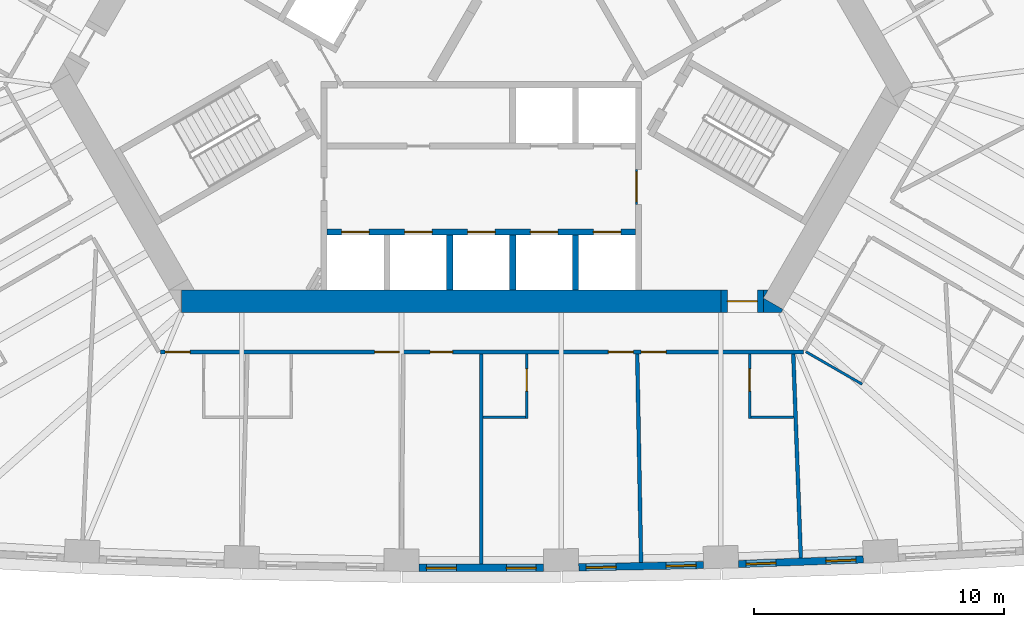
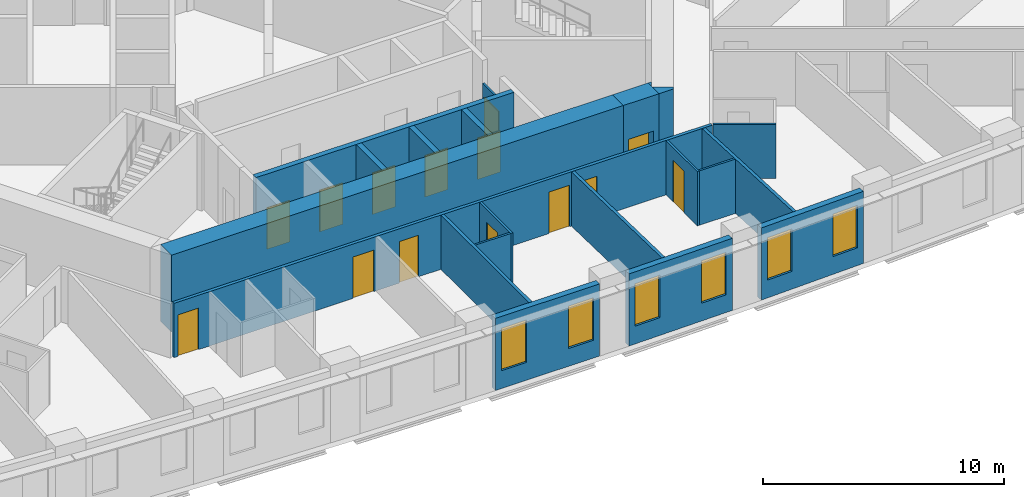
# One storey, part 6 of 13: 21 walls, 14 doors, 6 windows, 20 openings.
"""IFC4 building model written with IfcOpenShell, lengths in metres."""

from ifc_helpers import new_model, si_unit, direction, frame, frame_2d, origin, place, context, subcontext, project, spatial, polyline, rectangle, outline, extrude, material, layer, layer_set, type_object, element, fill, save


model = new_model("IFC4")

# Units and contexts
model_context = context("Model", 3, precision=1e-05, world=origin(), true_north=direction((0.0, 1.0)))
body_context = subcontext(model_context, "Body", "Model", "MODEL_VIEW")
ifc_project = project(units=[si_unit("LENGTHUNIT", "METRE"), si_unit("AREAUNIT", "SQUARE_METRE"), si_unit("VOLUMEUNIT", "CUBIC_METRE"), si_unit("PLANEANGLEUNIT", "RADIAN"), si_unit("MASSUNIT", "GRAM", prefix="KILO")], contexts=[model_context])

# Site, building, storey
site_placement = place(None, origin())
site = spatial("IfcSite", under=ifc_project, at=site_placement, CompositionType="ELEMENT")
building_placement = place(site_placement, origin())
building = spatial("IfcBuilding", under=site, at=building_placement, Name="Mestral Congress Tower", CompositionType="ELEMENT")
storey_placement = place(building_placement, frame((0.0, 0.0, 35.39990234375)))
storey = spatial("IfcBuildingStorey", under=building, at=storey_placement, Name="L07", CompositionType="ELEMENT", Elevation=35.39990234375)

# Wall, opening, door
ifc_material_1 = material(Name="Fire-rated board partition")
ifc_layer_1 = layer(ifc_material_1, 0.090087890625)
ifc_layer_set_1 = layer_set([ifc_layer_1], Name="Fire-rated board partition")
wall_type_1 = type_object("IfcWallType", Name="Core partition 150 door-wall 90", PredefinedType="PARTITIONING", material=ifc_layer_set_1)
wall_1_placement = place(storey_placement, frame((6.219970703125, -7.266357421875, 0.0), z_axis=(0.0, 0.0, 1.0), x_axis=(0.0, -1.0, 0.0)))
wall_1 = element("IfcWall", 1, at=wall_1_placement, inside=storey, type_object=wall_type_1, Name="L07 door wall", PredefinedType="PARTITIONING", context=body_context, shape_type="SweptSolid", body=[
    extrude(rectangle(XDim=1.400146484375, YDim=0.090087890625, at=frame_2d((0.7001953125, 0.0))), origin(), (0.0, 0.0, 1.0), 2.75),
])
opening_1_placement = place(wall_1_placement, frame((0.10009765625, 0.0, 0.0)))
opening_1 = element("IfcOpeningElement", 2, at=opening_1_placement, cuts=wall_1, Name="Opening LB0-WL1", PredefinedType="OPENING", context=body_context, shape_type="SweptSolid", body=[
    extrude(rectangle(XDim=1.199951171875, YDim=2.10009765625, at=frame_2d((0.60009765625, 1.050048828125))), frame((0.0, 0.054931640625, 0.0), z_axis=(0.0, -1.0, 0.0), x_axis=(1.0, 0.0, 0.0)), (0.0, 0.0, 1.0), 0.110107421875),
])
ifc_material_2 = material(Name="Fire-rated steel door set", Category="steel")
door_type_1 = type_object("IfcDoorType", Name="Core door LB 1200x2100", OperationType="SINGLE_SWING_LEFT", PredefinedType="DOOR", material=ifc_material_2)
door_1_placement = place(opening_1_placement, origin())
door_1 = element("IfcDoor", 3, at=door_1_placement, inside=storey, type_object=door_type_1, Name="Door LB0-WL1", OperationType="SINGLE_SWING_LEFT", OverallHeight=2.10009765625, OverallWidth=1.199951171875, PredefinedType="DOOR", context=body_context, shape_type="SweptSolid", body=[
    extrude(rectangle(XDim=1.199951171875, YDim=2.10009765625, at=frame_2d((0.60009765625, 1.050048828125))), frame((0.0, 0.02490234375, 0.0), z_axis=(0.0, -1.0, 0.0), x_axis=(1.0, 0.0, 0.0)), (0.0, 0.0, 1.0), 0.050048828125),
])
fill(opening_1, door_1)

# Walls
ifc_material_3 = material(Name="Concrete C60/75", Category="concrete")
ifc_layer_2 = layer(ifc_material_3, 0.89990234375)
ifc_layer_set_2 = layer_set([ifc_layer_2], Name="Concrete C60/75")
wall_type_2 = type_object("IfcWallType", Name="Core wall RC 900", PredefinedType="SOLIDWALL", material=ifc_layer_set_2)
placement = place(storey_placement, origin())
element("IfcWall", 4, at=placement, inside=storey, type_object=wall_type_2, Name="L07 core wall", PredefinedType="SOLIDWALL", context=body_context, shape_type="SweptSolid", body=[
    extrude(outline(polyline([(12.0087890625, -13.0), (11.31201171875, -13.0), (11.31201171875, -12.425048828125), (12.08349609375, -12.87060546875), (12.0087890625, -13.0)])), origin(), (0.0, 0.0, 1.0), 3.900146484375),
])
element("IfcWall", 5, at=placement, inside=storey, type_object=wall_type_2, Name="L07 core wall", PredefinedType="SOLIDWALL", context=body_context, shape_type="SweptSolid", body=[
    extrude(outline(polyline([(11.4892578125, -12.10009765625), (11.31201171875, -12.4072265625), (11.31201171875, -12.10009765625), (11.4892578125, -12.10009765625)])), origin(), (0.0, 0.0, 1.0), 3.900146484375),
])
wall_4_placement = place(storey_placement, frame((-12.0185546875, -12.550048828125, 0.0), z_axis=(0.0, 0.0, 1.0), x_axis=(1.0, 0.0, 0.0)))
element("IfcWall", 6, at=wall_4_placement, inside=storey, type_object=wall_type_2, Name="L07 core wall", PredefinedType="SOLIDWALL", context=body_context, shape_type="SweptSolid", body=[
    extrude(rectangle(XDim=21.63037109375, YDim=0.89990234375, at=frame_2d((10.815185546875, 0.0))), origin(), (0.0, 0.0, 1.0), 3.900146484375),
])

# Wall, opening, door
wall_5_placement = place(storey_placement, frame((11.311767578125, -12.550048828125, 0.0), z_axis=(0.0, 0.0, 1.0), x_axis=(-1.0, 0.0, 0.0)))
wall_5 = element("IfcWall", 7, at=wall_5_placement, inside=storey, type_object=wall_type_2, Name="L07 door wall", PredefinedType="SOLIDWALL", context=body_context, shape_type="SweptSolid", body=[
    extrude(rectangle(XDim=1.699951171875, YDim=0.89990234375, at=frame_2d((0.85009765625, 0.0))), origin(), (0.0, 0.0, 1.0), 3.900146484375),
])
opening_2_placement = place(wall_5_placement, frame((0.25, 0.0, 0.0)))
opening_2 = element("IfcOpeningElement", 8, at=opening_2_placement, cuts=wall_5, Name="Opening XD1", PredefinedType="OPENING", context=body_context, shape_type="SweptSolid", body=[
    extrude(rectangle(XDim=1.199951171875, YDim=2.10009765625, at=frame_2d((0.60009765625, 1.050048828125))), frame((0.0, 0.4599609375, 0.0), z_axis=(0.0, -1.0, 0.0), x_axis=(1.0, 0.0, 0.0)), (0.0, 0.0, 1.0), 0.919921875),
])
door_type_2 = type_object("IfcDoorType", Name="Core door XD 1200x2100", OperationType="SINGLE_SWING_LEFT", PredefinedType="DOOR", material=ifc_material_2)
door_2_placement = place(opening_2_placement, origin())
door_2 = element("IfcDoor", 9, at=door_2_placement, inside=storey, type_object=door_type_2, Name="Door XD1", OperationType="SINGLE_SWING_LEFT", OverallHeight=2.10009765625, OverallWidth=1.199951171875, PredefinedType="DOOR", context=body_context, shape_type="SweptSolid", body=[
    extrude(rectangle(XDim=1.199951171875, YDim=2.10009765625, at=frame_2d((0.60009765625, 1.050048828125))), frame((0.0, 0.02490234375, 0.0), z_axis=(0.0, -1.0, 0.0), x_axis=(1.0, 0.0, 0.0)), (0.0, 0.0, 1.0), 0.050048828125),
])
fill(opening_2, door_2)

# Wall, openings, windows
ifc_material_4 = material(Name="Precast concrete C40/50 with limestone facing", Category="masonry")
ifc_layer_3 = layer(ifc_material_4, 0.2900390625)
ifc_layer_set_3 = layer_set([ifc_layer_3], Name="Precast concrete C40/50 with limestone facing")
wall_type_3 = type_object("IfcWallType", Name="Facade stone wall 290", PredefinedType="SOLIDWALL", material=ifc_layer_set_3)
wall_6_placement = place(storey_placement, frame((-2.4990234375, -23.21826171875, 0.0), z_axis=(0.0, 0.0, 1.0), x_axis=(1.0, 0.0, 0.0)))
wall_6 = element("IfcWall", 10, at=wall_6_placement, inside=storey, type_object=wall_type_3, Name="Facade wall F0-04", PredefinedType="SOLIDWALL", context=body_context, shape_type="SweptSolid", body=[
    extrude(rectangle(XDim=4.998046875, YDim=0.2900390625, at=frame_2d((2.4990234375, 0.0))), origin(), (0.0, 0.0, 1.0), 3.650146484375),
])
opening_3_placement = place(wall_6_placement, frame((0.297119140625, 0.0, 0.89990234375)))
opening_3 = element("IfcOpeningElement", 11, at=opening_3_placement, cuts=wall_6, Name="Opening W1", PredefinedType="OPENING", context=body_context, shape_type="SweptSolid", body=[
    extrude(rectangle(XDim=1.199951171875, YDim=2.14990234375, at=frame_2d((0.60009765625, 1.074951171875))), frame((0.0, 0.155029296875, 0.0), z_axis=(0.0, -1.0, 0.0), x_axis=(1.0, 0.0, 0.0)), (0.0, 0.0, 1.0), 0.31005859375),
])
opening_4_placement = place(wall_6_placement, frame((3.501220703125, 0.0, 0.89990234375)))
opening_4 = element("IfcOpeningElement", 12, at=opening_4_placement, cuts=wall_6, Name="Opening W1", PredefinedType="OPENING", context=body_context, shape_type="SweptSolid", body=[
    extrude(rectangle(XDim=1.199951171875, YDim=2.14990234375, at=frame_2d((0.60009765625, 1.074951171875))), frame((0.0, 0.155029296875, 0.0), z_axis=(0.0, -1.0, 0.0), x_axis=(1.0, 0.0, 0.0)), (0.0, 0.0, 1.0), 0.31005859375),
])
ifc_material_5 = material(Name="Clear low-emissivity double glazing", Category="glass")
window_type = type_object("IfcWindowType", Name="Facade punched window 1200 x 2150 sill 900", PartitioningType="DOUBLE_PANEL_VERTICAL", PredefinedType="WINDOW", material=ifc_material_5)
window_1_placement = place(opening_3_placement, origin())
window_1 = element("IfcWindow", 13, at=window_1_placement, inside=storey, type_object=window_type, Name="Window F0-04a", OverallHeight=2.14990234375, OverallWidth=1.199951171875, PartitioningType="DOUBLE_PANEL_VERTICAL", PredefinedType="WINDOW", context=body_context, shape_type="SweptSolid", body=[
    extrude(rectangle(XDim=1.199951171875, YDim=2.14990234375, at=frame_2d((0.60009765625, 1.074951171875))), frame((0.0, 0.01513671875, 0.0), z_axis=(0.0, -1.0, 0.0), x_axis=(1.0, 0.0, 0.0)), (0.0, 0.0, 1.0), 0.06005859375),
])
fill(opening_3, window_1)
window_2_placement = place(opening_4_placement, origin())
window_2 = element("IfcWindow", 14, at=window_2_placement, inside=storey, type_object=window_type, Name="Window F0-04b", OverallHeight=2.14990234375, OverallWidth=1.199951171875, PartitioningType="DOUBLE_PANEL_VERTICAL", PredefinedType="WINDOW", context=body_context, shape_type="SweptSolid", body=[
    extrude(rectangle(XDim=1.199951171875, YDim=2.14990234375, at=frame_2d((0.60009765625, 1.074951171875))), frame((0.0, 0.01513671875, 0.0), z_axis=(0.0, -1.0, 0.0), x_axis=(1.0, 0.0, 0.0)), (0.0, 0.0, 1.0), 0.06005859375),
])
fill(opening_4, window_2)

wall_7_placement = place(storey_placement, frame((3.90625, -23.205078125, 0.0), z_axis=(0.0, 0.0, 1.0), x_axis=(0.999829529479, 0.018463801951, 0.0)))
wall_7 = element("IfcWall", 15, at=wall_7_placement, inside=storey, type_object=wall_type_3, Name="Facade wall F0-05", PredefinedType="SOLIDWALL", context=body_context, shape_type="SweptSolid", body=[
    extrude(rectangle(XDim=4.998046875, YDim=0.2900390625, at=frame_2d((2.4990234375, 0.0))), origin(), (0.0, 0.0, 1.0), 3.650146484375),
])
opening_5_placement = place(wall_7_placement, frame((0.297119140625, 0.0, 0.89990234375)))
opening_5 = element("IfcOpeningElement", 16, at=opening_5_placement, cuts=wall_7, Name="Opening W1", PredefinedType="OPENING", context=body_context, shape_type="SweptSolid", body=[
    extrude(rectangle(XDim=1.199951171875, YDim=2.14990234375, at=frame_2d((0.60009765625, 1.074951171875))), frame((0.0, 0.155029296875, 0.0), z_axis=(0.0, -1.0, 0.0), x_axis=(1.0, 0.0, 0.0)), (0.0, 0.0, 1.0), 0.31005859375),
])
opening_6_placement = place(wall_7_placement, frame((3.501220703125, 0.0, 0.89990234375)))
opening_6 = element("IfcOpeningElement", 17, at=opening_6_placement, cuts=wall_7, Name="Opening W1", PredefinedType="OPENING", context=body_context, shape_type="SweptSolid", body=[
    extrude(rectangle(XDim=1.199951171875, YDim=2.14990234375, at=frame_2d((0.60009765625, 1.074951171875))), frame((0.0, 0.155029296875, 0.0), z_axis=(0.0, -1.0, 0.0), x_axis=(1.0, 0.0, 0.0)), (0.0, 0.0, 1.0), 0.31005859375),
])
window_3_placement = place(opening_5_placement, origin())
window_3 = element("IfcWindow", 18, at=window_3_placement, inside=storey, type_object=window_type, Name="Window F0-05a", OverallHeight=2.14990234375, OverallWidth=1.199951171875, PartitioningType="DOUBLE_PANEL_VERTICAL", PredefinedType="WINDOW", context=body_context, shape_type="SweptSolid", body=[
    extrude(rectangle(XDim=1.199951171875, YDim=2.14990234375, at=frame_2d((0.60009765625, 1.074951171875))), frame((0.0, 0.01513671875, 0.0), z_axis=(0.0, -1.0, 0.0), x_axis=(1.0, 0.0, 0.0)), (0.0, 0.0, 1.0), 0.06005859375),
])
fill(opening_5, window_3)
window_4_placement = place(opening_6_placement, origin())
window_4 = element("IfcWindow", 19, at=window_4_placement, inside=storey, type_object=window_type, Name="Window F0-05b", OverallHeight=2.14990234375, OverallWidth=1.199951171875, PartitioningType="DOUBLE_PANEL_VERTICAL", PredefinedType="WINDOW", context=body_context, shape_type="SweptSolid", body=[
    extrude(rectangle(XDim=1.199951171875, YDim=2.14990234375, at=frame_2d((0.60009765625, 1.074951171875))), frame((0.0, 0.01513671875, 0.0), z_axis=(0.0, -1.0, 0.0), x_axis=(1.0, 0.0, 0.0)), (0.0, 0.0, 1.0), 0.06005859375),
])
fill(opening_6, window_4)

wall_8_placement = place(storey_placement, frame((10.310302734375, -23.07373046875, 0.0), z_axis=(0.0, 0.0, 1.0), x_axis=(0.999317974969, 0.036926750529, 0.0)))
wall_8 = element("IfcWall", 20, at=wall_8_placement, inside=storey, type_object=wall_type_3, Name="Facade wall F0-06", PredefinedType="SOLIDWALL", context=body_context, shape_type="SweptSolid", body=[
    extrude(rectangle(XDim=4.998291015625, YDim=0.2900390625, at=frame_2d((2.4990234375, 0.0))), origin(), (0.0, 0.0, 1.0), 3.650146484375),
])
opening_7_placement = place(wall_8_placement, frame((0.297119140625, 0.0, 0.89990234375)))
opening_7 = element("IfcOpeningElement", 21, at=opening_7_placement, cuts=wall_8, Name="Opening W1", PredefinedType="OPENING", context=body_context, shape_type="SweptSolid", body=[
    extrude(rectangle(XDim=1.199951171875, YDim=2.14990234375, at=frame_2d((0.60009765625, 1.074951171875))), frame((0.0, 0.155029296875, 0.0), z_axis=(0.0, -1.0, 0.0), x_axis=(1.0, 0.0, 0.0)), (0.0, 0.0, 1.0), 0.31005859375),
])
opening_8_placement = place(wall_8_placement, frame((3.501220703125, 0.0, 0.89990234375)))
opening_8 = element("IfcOpeningElement", 22, at=opening_8_placement, cuts=wall_8, Name="Opening W1", PredefinedType="OPENING", context=body_context, shape_type="SweptSolid", body=[
    extrude(rectangle(XDim=1.199951171875, YDim=2.14990234375, at=frame_2d((0.60009765625, 1.074951171875))), frame((0.0, 0.155029296875, 0.0), z_axis=(0.0, -1.0, 0.0), x_axis=(1.0, 0.0, 0.0)), (0.0, 0.0, 1.0), 0.31005859375),
])
window_5_placement = place(opening_7_placement, origin())
window_5 = element("IfcWindow", 23, at=window_5_placement, inside=storey, type_object=window_type, Name="Window F0-06a", OverallHeight=2.14990234375, OverallWidth=1.199951171875, PartitioningType="DOUBLE_PANEL_VERTICAL", PredefinedType="WINDOW", context=body_context, shape_type="SweptSolid", body=[
    extrude(rectangle(XDim=1.199951171875, YDim=2.14990234375, at=frame_2d((0.60009765625, 1.074951171875))), frame((0.0, 0.01513671875, 0.0), z_axis=(0.0, -1.0, 0.0), x_axis=(1.0, 0.0, 0.0)), (0.0, 0.0, 1.0), 0.06005859375),
])
fill(opening_7, window_5)
window_6_placement = place(opening_8_placement, origin())
window_6 = element("IfcWindow", 24, at=window_6_placement, inside=storey, type_object=window_type, Name="Window F0-06b", OverallHeight=2.14990234375, OverallWidth=1.199951171875, PartitioningType="DOUBLE_PANEL_VERTICAL", PredefinedType="WINDOW", context=body_context, shape_type="SweptSolid", body=[
    extrude(rectangle(XDim=1.199951171875, YDim=2.14990234375, at=frame_2d((0.60009765625, 1.074951171875))), frame((0.0, 0.01513671875, 0.0), z_axis=(0.0, -1.0, 0.0), x_axis=(1.0, 0.0, 0.0)), (0.0, 0.0, 1.0), 0.06005859375),
])
fill(opening_8, window_6)

# Wall, opening, door
ifc_material_6 = material(Name="Gypsum board partition on metal studs with mineral wool", Category="composite")
ifc_layer_4 = layer(ifc_material_6, 0.10009765625)
ifc_layer_set_4 = layer_set([ifc_layer_4], Name="Gypsum board partition on metal studs with mineral wool")
wall_type_4 = type_object("IfcWallType", Name="Hotel partition wall 100", PredefinedType="PARTITIONING", material=ifc_layer_set_4)
wall_9_placement = place(storey_placement, frame((1.824951171875, -17.25, 0.0), z_axis=(0.0, 0.0, 1.0), x_axis=(0.0, 1.0, 0.0)))
wall_9 = element("IfcWall", 25, at=wall_9_placement, inside=storey, type_object=wall_type_4, Name="L07-h-pod06a", PredefinedType="PARTITIONING", context=body_context, shape_type="SweptSolid", body=[
    extrude(rectangle(XDim=2.60009765625, YDim=0.10009765625, at=frame_2d((1.300048828125, 0.0))), origin(), (0.0, 0.0, 1.0), 2.75),
])
opening_9_placement = place(wall_9_placement, frame((1.10009765625, 0.0, 0.0)))
opening_9 = element("IfcOpeningElement", 26, at=opening_9_placement, cuts=wall_9, Name="Opening H01-011", PredefinedType="OPENING", context=body_context, shape_type="SweptSolid", body=[
    extrude(rectangle(XDim=0.89990234375, YDim=2.10009765625, at=frame_2d((0.449951171875, 1.050048828125))), frame((0.0, 0.06005859375, 0.0), z_axis=(0.0, -1.0, 0.0), x_axis=(1.0, 0.0, 0.0)), (0.0, 0.0, 1.0), 0.1201171875),
])
ifc_material_7 = material(Name="Timber veneer door leaf in timber frame", Category="wood")
door_type_3 = type_object("IfcDoorType", Name="Bathroom door 900", OperationType="SINGLE_SWING_LEFT", PredefinedType="DOOR", material=ifc_material_7)
door_3_placement = place(opening_9_placement, origin())
door_3 = element("IfcDoor", 27, at=door_3_placement, inside=storey, type_object=door_type_3, Name="L07-h-d011", OperationType="SINGLE_SWING_RIGHT", OverallHeight=2.10009765625, OverallWidth=0.89990234375, PredefinedType="DOOR", context=body_context, shape_type="SweptSolid", body=[
    extrude(rectangle(XDim=0.89990234375, YDim=2.10009765625, at=frame_2d((0.449951171875, 1.050048828125))), frame((0.0, 0.02490234375, 0.0), z_axis=(0.0, -1.0, 0.0), x_axis=(1.0, 0.0, 0.0)), (0.0, 0.0, 1.0), 0.050048828125),
])
fill(opening_9, door_3)

# Wall
wall_10_placement = place(storey_placement, frame((1.77490234375, -17.199951171875, 0.0), z_axis=(0.0, 0.0, 1.0), x_axis=(-1.0, 0.0, 0.0)))
element("IfcWall", 28, at=wall_10_placement, inside=storey, type_object=wall_type_4, Name="L07-h-pod06b", PredefinedType="PARTITIONING", context=body_context, shape_type="SweptSolid", body=[
    extrude(rectangle(XDim=1.699951171875, YDim=0.10009765625, at=frame_2d((0.85009765625, 0.0))), origin(), (0.0, 0.0, 1.0), 2.75),
])

# Wall, opening, door
wall_11_placement = place(storey_placement, frame((10.746337890625, -14.64990234375, 0.0), z_axis=(0.0, 0.0, 1.0), x_axis=(0.0, -1.0, 0.0)))
wall_11 = element("IfcWall", 29, at=wall_11_placement, inside=storey, type_object=wall_type_4, Name="L07-h-pod07a", PredefinedType="PARTITIONING", context=body_context, shape_type="SweptSolid", body=[
    extrude(rectangle(XDim=2.60009765625, YDim=0.10009765625, at=frame_2d((1.300048828125, 0.0))), origin(), (0.0, 0.0, 1.0), 2.75),
])
opening_10_placement = place(wall_11_placement, frame((0.60009765625, 0.0, 0.0)))
opening_10 = element("IfcOpeningElement", 30, at=opening_10_placement, cuts=wall_11, Name="Opening H01-013", PredefinedType="OPENING", context=body_context, shape_type="SweptSolid", body=[
    extrude(rectangle(XDim=0.89990234375, YDim=2.10009765625, at=frame_2d((0.449951171875, 1.050048828125))), frame((0.0, 0.06005859375, 0.0), z_axis=(0.0, -1.0, 0.0), x_axis=(1.0, 0.0, 0.0)), (0.0, 0.0, 1.0), 0.1201171875),
])
door_4_placement = place(opening_10_placement, origin())
door_4 = element("IfcDoor", 31, at=door_4_placement, inside=storey, type_object=door_type_3, Name="L07-h-d013", OperationType="SINGLE_SWING_LEFT", OverallHeight=2.10009765625, OverallWidth=0.89990234375, PredefinedType="DOOR", context=body_context, shape_type="SweptSolid", body=[
    extrude(rectangle(XDim=0.89990234375, YDim=2.10009765625, at=frame_2d((0.449951171875, 1.050048828125))), frame((0.0, 0.02490234375, 0.0), z_axis=(0.0, -1.0, 0.0), x_axis=(1.0, 0.0, 0.0)), (0.0, 0.0, 1.0), 0.050048828125),
])
fill(opening_10, door_4)

# Walls
wall_12_placement = place(storey_placement, frame((10.806396484375, -17.199951171875, 0.0), z_axis=(0.0, 0.0, 1.0), x_axis=(1.0, 0.0, 0.0)))
element("IfcWall", 32, at=wall_12_placement, inside=storey, type_object=wall_type_4, Name="L07-h-pod07b", PredefinedType="PARTITIONING", context=body_context, shape_type="SweptSolid", body=[
    extrude(rectangle(XDim=1.7099609375, YDim=0.10009765625, at=frame_2d((0.85498046875, 0.0))), origin(), (0.0, 0.0, 1.0), 2.75),
])
wall_13_placement = place(storey_placement, frame((13.00830078125, -14.569091796875, 0.0), z_axis=(0.0, 0.0, 1.0), x_axis=(0.865997922154, -0.500047596559, 0.0)))
element("IfcWall", 33, at=wall_13_placement, inside=storey, type_object=wall_type_4, Name="L07-h-pod08c", PredefinedType="PARTITIONING", context=body_context, shape_type="SweptSolid", body=[
    extrude(rectangle(XDim=2.599853515625, YDim=0.10009765625, at=frame_2d((1.2998046875, 0.0))), origin(), (0.0, 0.0, 1.0), 2.75),
])

# Wall, openings, doors
ifc_layer_5 = layer(ifc_material_6, 0.14990234375)
ifc_layer_set_5 = layer_set([ifc_layer_5], Name="Gypsum board partition on metal studs with mineral wool")
wall_type_5 = type_object("IfcWallType", Name="Hotel partition wall 150", PredefinedType="PARTITIONING", material=ifc_layer_set_5)
wall_14_placement = place(storey_placement, frame((12.918212890625, -14.574951171875, 0.0), z_axis=(0.0, 0.0, 1.0), x_axis=(-1.0, 0.0, 0.0)))
wall_14 = element("IfcWall", 34, at=wall_14_placement, inside=storey, type_object=wall_type_5, Name="L07-h-cw13", PredefinedType="PARTITIONING", context=body_context, shape_type="SweptSolid", body=[
    extrude(rectangle(XDim=25.766357421875, YDim=0.14990234375, at=frame_2d((12.88330078125, 0.0))), origin(), (0.0, 0.0, 1.0), 2.75),
])
opening_11_placement = place(wall_14_placement, frame((24.58642578125, 0.0, 0.0)))
opening_11 = element("IfcOpeningElement", 35, at=opening_11_placement, cuts=wall_14, Name="Opening H01-005", PredefinedType="OPENING", context=body_context, shape_type="SweptSolid", body=[
    extrude(rectangle(XDim=1.0, YDim=2.10009765625, at=frame_2d((0.5, 1.050048828125))), frame((0.0, 0.0849609375, 0.0), z_axis=(0.0, -1.0, 0.0), x_axis=(1.0, 0.0, 0.0)), (0.0, 0.0, 1.0), 0.169921875),
])
opening_12_placement = place(wall_14_placement, frame((16.195068359375, 0.0, 0.0)))
opening_12 = element("IfcOpeningElement", 36, at=opening_12_placement, cuts=wall_14, Name="Opening H01-007", PredefinedType="OPENING", context=body_context, shape_type="SweptSolid", body=[
    extrude(rectangle(XDim=1.0, YDim=2.10009765625, at=frame_2d((0.5, 1.050048828125))), frame((0.0, 0.0849609375, 0.0), z_axis=(0.0, -1.0, 0.0), x_axis=(1.0, 0.0, 0.0)), (0.0, 0.0, 1.0), 0.169921875),
])
opening_13_placement = place(wall_14_placement, frame((14.06591796875, 0.0, 0.0)))
opening_13 = element("IfcOpeningElement", 37, at=opening_13_placement, cuts=wall_14, Name="Opening H01-009", PredefinedType="OPENING", context=body_context, shape_type="SweptSolid", body=[
    extrude(rectangle(XDim=0.89990234375, YDim=2.10009765625, at=frame_2d((0.449951171875, 1.050048828125))), frame((0.0, 0.0849609375, 0.0), z_axis=(0.0, -1.0, 0.0), x_axis=(1.0, 0.0, 0.0)), (0.0, 0.0, 1.0), 0.169921875),
])
opening_14_placement = place(wall_14_placement, frame((6.823974609375, 0.0, 0.0)))
opening_14 = element("IfcOpeningElement", 38, at=opening_14_placement, cuts=wall_14, Name="Opening H01-010", PredefinedType="OPENING", context=body_context, shape_type="SweptSolid", body=[
    extrude(rectangle(XDim=1.0, YDim=2.10009765625, at=frame_2d((0.5, 1.050048828125))), frame((0.0, 0.0849609375, 0.0), z_axis=(0.0, -1.0, 0.0), x_axis=(1.0, 0.0, 0.0)), (0.0, 0.0, 1.0), 0.169921875),
])
opening_15_placement = place(wall_14_placement, frame((5.5166015625, 0.0, 0.0)))
opening_15 = element("IfcOpeningElement", 39, at=opening_15_placement, cuts=wall_14, Name="Opening H01-012", PredefinedType="OPENING", context=body_context, shape_type="SweptSolid", body=[
    extrude(rectangle(XDim=1.0, YDim=2.10009765625, at=frame_2d((0.5, 1.050048828125))), frame((0.0, 0.0849609375, 0.0), z_axis=(0.0, -1.0, 0.0), x_axis=(1.0, 0.0, 0.0)), (0.0, 0.0, 1.0), 0.169921875),
])
ifc_material_8 = material(Name="Timber veneer door leaf in metal frame", Category="wood")
door_type_4 = type_object("IfcDoorType", Name="Guest room entrance door 1000", OperationType="SINGLE_SWING_LEFT", PredefinedType="DOOR", material=ifc_material_8)
door_5_placement = place(opening_11_placement, origin())
door_5 = element("IfcDoor", 40, at=door_5_placement, inside=storey, type_object=door_type_4, Name="L07-h-d005", OperationType="SINGLE_SWING_RIGHT", OverallHeight=2.10009765625, OverallWidth=1.0, PredefinedType="DOOR", context=body_context, shape_type="SweptSolid", body=[
    extrude(rectangle(XDim=1.0, YDim=2.10009765625, at=frame_2d((0.5, 1.050048828125))), frame((0.0, 0.02490234375, 0.0), z_axis=(0.0, -1.0, 0.0), x_axis=(1.0, 0.0, 0.0)), (0.0, 0.0, 1.0), 0.050048828125),
])
fill(opening_11, door_5)
door_6_placement = place(opening_12_placement, origin())
door_6 = element("IfcDoor", 41, at=door_6_placement, inside=storey, type_object=door_type_4, Name="L07-h-d007", OperationType="SINGLE_SWING_LEFT", OverallHeight=2.10009765625, OverallWidth=1.0, PredefinedType="DOOR", context=body_context, shape_type="SweptSolid", body=[
    extrude(rectangle(XDim=1.0, YDim=2.10009765625, at=frame_2d((0.5, 1.050048828125))), frame((0.0, 0.02490234375, 0.0), z_axis=(0.0, -1.0, 0.0), x_axis=(1.0, 0.0, 0.0)), (0.0, 0.0, 1.0), 0.050048828125),
])
fill(opening_12, door_6)
door_7_placement = place(opening_14_placement, origin())
door_7 = element("IfcDoor", 42, at=door_7_placement, inside=storey, type_object=door_type_4, Name="L07-h-d010", OperationType="SINGLE_SWING_LEFT", OverallHeight=2.10009765625, OverallWidth=1.0, PredefinedType="DOOR", context=body_context, shape_type="SweptSolid", body=[
    extrude(rectangle(XDim=1.0, YDim=2.10009765625, at=frame_2d((0.5, 1.050048828125))), frame((0.0, 0.02490234375, 0.0), z_axis=(0.0, -1.0, 0.0), x_axis=(1.0, 0.0, 0.0)), (0.0, 0.0, 1.0), 0.050048828125),
])
fill(opening_14, door_7)
door_8_placement = place(opening_15_placement, origin())
door_8 = element("IfcDoor", 43, at=door_8_placement, inside=storey, type_object=door_type_4, Name="L07-h-d012", OperationType="SINGLE_SWING_RIGHT", OverallHeight=2.10009765625, OverallWidth=1.0, PredefinedType="DOOR", context=body_context, shape_type="SweptSolid", body=[
    extrude(rectangle(XDim=1.0, YDim=2.10009765625, at=frame_2d((0.5, 1.050048828125))), frame((0.0, 0.02490234375, 0.0), z_axis=(0.0, -1.0, 0.0), x_axis=(1.0, 0.0, 0.0)), (0.0, 0.0, 1.0), 0.050048828125),
])
fill(opening_15, door_8)
door_type_5 = type_object("IfcDoorType", Name="Service room door 900", OperationType="SINGLE_SWING_LEFT", PredefinedType="DOOR", material=ifc_material_8)
door_9_placement = place(opening_13_placement, origin())
door_9 = element("IfcDoor", 44, at=door_9_placement, inside=storey, type_object=door_type_5, Name="L07-h-d009", OperationType="SINGLE_SWING_LEFT", OverallHeight=2.10009765625, OverallWidth=0.89990234375, PredefinedType="DOOR", context=body_context, shape_type="SweptSolid", body=[
    extrude(rectangle(XDim=0.89990234375, YDim=2.10009765625, at=frame_2d((0.449951171875, 1.050048828125))), frame((0.0, 0.02490234375, 0.0), z_axis=(0.0, -1.0, 0.0), x_axis=(1.0, 0.0, 0.0)), (0.0, 0.0, 1.0), 0.050048828125),
])
fill(opening_13, door_9)

# Walls
wall_15_placement = place(storey_placement, frame((0.0, -23.0732421875, 0.0), z_axis=(0.0, 0.0, 1.0), x_axis=(0.0, 1.0, 0.0)))
element("IfcWall", 45, at=wall_15_placement, inside=storey, type_object=wall_type_5, Name="L07-h-pw16", PredefinedType="PARTITIONING", context=body_context, shape_type="SweptSolid", body=[
    extrude(rectangle(XDim=8.42333984375, YDim=0.14990234375, at=frame_2d((4.211669921875, 0.0))), origin(), (0.0, 0.0, 1.0), 2.75),
])
wall_16_placement = place(storey_placement, frame((6.40234375, -23.013916015625, 0.0), z_axis=(0.0, 0.0, 1.0), x_axis=(-0.01849587109, 0.999828936745, 0.0)))
element("IfcWall", 46, at=wall_16_placement, inside=storey, type_object=wall_type_5, Name="L07-h-pw19", PredefinedType="PARTITIONING", context=body_context, shape_type="SweptSolid", body=[
    extrude(rectangle(XDim=8.35546875, YDim=0.14990234375, at=frame_2d((4.177734375, 0.0))), origin(), (0.0, 0.0, 1.0), 2.75),
])
wall_17_placement = place(storey_placement, frame((12.802490234375, -22.83642578125, 0.0), z_axis=(0.0, 0.0, 1.0), x_axis=(-0.036969723281, 0.999316386116, 0.0)))
element("IfcWall", 47, at=wall_17_placement, inside=storey, type_object=wall_type_5, Name="L07-h-pw22", PredefinedType="PARTITIONING", context=body_context, shape_type="SweptSolid", body=[
    extrude(rectangle(XDim=8.18212890625, YDim=0.14990234375, at=frame_2d((4.091064453125, 0.0))), origin(), (0.0, 0.0, 1.0), 2.75),
])
ifc_layer_6 = layer(ifc_material_3, 0.25)
ifc_layer_set_6 = layer_set([ifc_layer_6], Name="Concrete C60/75")
wall_type_6 = type_object("IfcWallType", Name="Shaft wall RC 250", PredefinedType="SOLIDWALL", material=ifc_layer_set_6)
for number, where, z_axis, x_axis, name in (
    (48, (3.780029296875, -12.10009765625, 0.0), (0.0, 0.0, 1.0), (0.0, 1.0, 0.0), "L07 core wall"),
    (49, (1.260009765625, -12.10009765625, 0.0), (0.0, 0.0, 1.0), (0.0, 1.0, 0.0), "L07 core wall"),
    (50, (-1.260009765625, -12.10009765625, 0.0), (0.0, 0.0, 1.0), (0.0, 1.0, 0.0), "L07 core wall"),
):
    element("IfcWall", number, at=place(storey_placement, frame(where, z_axis=z_axis, x_axis=x_axis)), inside=storey, type_object=wall_type_6, Name=name, PredefinedType="SOLIDWALL", context=body_context, shape_type="SweptSolid", body=[
        extrude(rectangle(XDim=2.199951171875, YDim=0.25, at=frame_2d((1.10009765625, 0.0))), origin(), (0.0, 0.0, 1.0), 3.900146484375),
    ])

# Wall, openings, doors
wall_18_placement = place(storey_placement, frame((-6.175048828125, -9.77490234375, 0.0), z_axis=(0.0, 0.0, 1.0), x_axis=(1.0, 0.0, 0.0)))
wall_18 = element("IfcWall", 51, at=wall_18_placement, inside=storey, type_object=wall_type_6, Name="L07 door wall", PredefinedType="SOLIDWALL", context=body_context, shape_type="SweptSolid", body=[
    extrude(rectangle(XDim=12.35009765625, YDim=0.25, at=frame_2d((6.175048828125, 0.0))), origin(), (0.0, 0.0, 1.0), 3.900146484375),
])
opening_16_placement = place(wall_18_placement, frame((0.5849609375, 0.0, 0.0)))
opening_16 = element("IfcOpeningElement", 52, at=opening_16_placement, cuts=wall_18, Name="Opening LD-SOA1", PredefinedType="OPENING", context=body_context, shape_type="SweptSolid", body=[
    extrude(rectangle(XDim=1.10009765625, YDim=2.10009765625, at=frame_2d((0.550048828125, 1.050048828125))), frame((0.0, 0.135009765625, 0.0), z_axis=(0.0, -1.0, 0.0), x_axis=(1.0, 0.0, 0.0)), (0.0, 0.0, 1.0), 0.27001953125),
])
opening_17_placement = place(wall_18_placement, frame((3.10498046875, 0.0, 0.0)))
opening_17 = element("IfcOpeningElement", 53, at=opening_17_placement, cuts=wall_18, Name="Opening LD-SOA2", PredefinedType="OPENING", context=body_context, shape_type="SweptSolid", body=[
    extrude(rectangle(XDim=1.10009765625, YDim=2.10009765625, at=frame_2d((0.550048828125, 1.050048828125))), frame((0.0, 0.135009765625, 0.0), z_axis=(0.0, -1.0, 0.0), x_axis=(1.0, 0.0, 0.0)), (0.0, 0.0, 1.0), 0.27001953125),
])
opening_18_placement = place(wall_18_placement, frame((5.625, 0.0, 0.0)))
opening_18 = element("IfcOpeningElement", 54, at=opening_18_placement, cuts=wall_18, Name="Opening LD-SOA3", PredefinedType="OPENING", context=body_context, shape_type="SweptSolid", body=[
    extrude(rectangle(XDim=1.10009765625, YDim=2.10009765625, at=frame_2d((0.550048828125, 1.050048828125))), frame((0.0, 0.135009765625, 0.0), z_axis=(0.0, -1.0, 0.0), x_axis=(1.0, 0.0, 0.0)), (0.0, 0.0, 1.0), 0.27001953125),
])
opening_19_placement = place(wall_18_placement, frame((8.14501953125, 0.0, 0.0)))
opening_19 = element("IfcOpeningElement", 55, at=opening_19_placement, cuts=wall_18, Name="Opening LD-SOA4", PredefinedType="OPENING", context=body_context, shape_type="SweptSolid", body=[
    extrude(rectangle(XDim=1.10009765625, YDim=2.10009765625, at=frame_2d((0.550048828125, 1.050048828125))), frame((0.0, 0.135009765625, 0.0), z_axis=(0.0, -1.0, 0.0), x_axis=(1.0, 0.0, 0.0)), (0.0, 0.0, 1.0), 0.27001953125),
])
opening_20_placement = place(wall_18_placement, frame((10.6650390625, 0.0, 0.0)))
opening_20 = element("IfcOpeningElement", 56, at=opening_20_placement, cuts=wall_18, Name="Opening LD-SOA5", PredefinedType="OPENING", context=body_context, shape_type="SweptSolid", body=[
    extrude(rectangle(XDim=1.10009765625, YDim=2.10009765625, at=frame_2d((0.550048828125, 1.050048828125))), frame((0.0, 0.135009765625, 0.0), z_axis=(0.0, -1.0, 0.0), x_axis=(1.0, 0.0, 0.0)), (0.0, 0.0, 1.0), 0.27001953125),
])
door_type_6 = type_object("IfcDoorType", Name="Core door LD 1100x2100", OperationType="DOUBLE_DOOR_SLIDING", PredefinedType="DOOR", material=ifc_material_2)
door_10_placement = place(opening_16_placement, origin())
door_10 = element("IfcDoor", 57, at=door_10_placement, inside=storey, type_object=door_type_6, Name="Door LD-SOA1", OperationType="DOUBLE_DOOR_SLIDING", OverallHeight=2.10009765625, OverallWidth=1.10009765625, PredefinedType="DOOR", context=body_context, shape_type="SweptSolid", body=[
    extrude(rectangle(XDim=1.10009765625, YDim=2.10009765625, at=frame_2d((0.550048828125, 1.050048828125))), frame((0.0, 0.02490234375, 0.0), z_axis=(0.0, -1.0, 0.0), x_axis=(1.0, 0.0, 0.0)), (0.0, 0.0, 1.0), 0.050048828125),
])
fill(opening_16, door_10)
door_11_placement = place(opening_17_placement, origin())
door_11 = element("IfcDoor", 58, at=door_11_placement, inside=storey, type_object=door_type_6, Name="Door LD-SOA2", OperationType="DOUBLE_DOOR_SLIDING", OverallHeight=2.10009765625, OverallWidth=1.10009765625, PredefinedType="DOOR", context=body_context, shape_type="SweptSolid", body=[
    extrude(rectangle(XDim=1.10009765625, YDim=2.10009765625, at=frame_2d((0.550048828125, 1.050048828125))), frame((0.0, 0.02490234375, 0.0), z_axis=(0.0, -1.0, 0.0), x_axis=(1.0, 0.0, 0.0)), (0.0, 0.0, 1.0), 0.050048828125),
])
fill(opening_17, door_11)
door_12_placement = place(opening_18_placement, origin())
door_12 = element("IfcDoor", 59, at=door_12_placement, inside=storey, type_object=door_type_6, Name="Door LD-SOA3", OperationType="DOUBLE_DOOR_SLIDING", OverallHeight=2.10009765625, OverallWidth=1.10009765625, PredefinedType="DOOR", context=body_context, shape_type="SweptSolid", body=[
    extrude(rectangle(XDim=1.10009765625, YDim=2.10009765625, at=frame_2d((0.550048828125, 1.050048828125))), frame((0.0, 0.02490234375, 0.0), z_axis=(0.0, -1.0, 0.0), x_axis=(1.0, 0.0, 0.0)), (0.0, 0.0, 1.0), 0.050048828125),
])
fill(opening_18, door_12)
door_13_placement = place(opening_19_placement, origin())
door_13 = element("IfcDoor", 60, at=door_13_placement, inside=storey, type_object=door_type_6, Name="Door LD-SOA4", OperationType="DOUBLE_DOOR_SLIDING", OverallHeight=2.10009765625, OverallWidth=1.10009765625, PredefinedType="DOOR", context=body_context, shape_type="SweptSolid", body=[
    extrude(rectangle(XDim=1.10009765625, YDim=2.10009765625, at=frame_2d((0.550048828125, 1.050048828125))), frame((0.0, 0.02490234375, 0.0), z_axis=(0.0, -1.0, 0.0), x_axis=(1.0, 0.0, 0.0)), (0.0, 0.0, 1.0), 0.050048828125),
])
fill(opening_19, door_13)
door_14_placement = place(opening_20_placement, origin())
door_14 = element("IfcDoor", 61, at=door_14_placement, inside=storey, type_object=door_type_6, Name="Door LD-SOA5", OperationType="DOUBLE_DOOR_SLIDING", OverallHeight=2.10009765625, OverallWidth=1.10009765625, PredefinedType="DOOR", context=body_context, shape_type="SweptSolid", body=[
    extrude(rectangle(XDim=1.10009765625, YDim=2.10009765625, at=frame_2d((0.550048828125, 1.050048828125))), frame((0.0, 0.02490234375, 0.0), z_axis=(0.0, -1.0, 0.0), x_axis=(1.0, 0.0, 0.0)), (0.0, 0.0, 1.0), 0.050048828125),
])
fill(opening_20, door_14)

save(model, "model.ifc")
